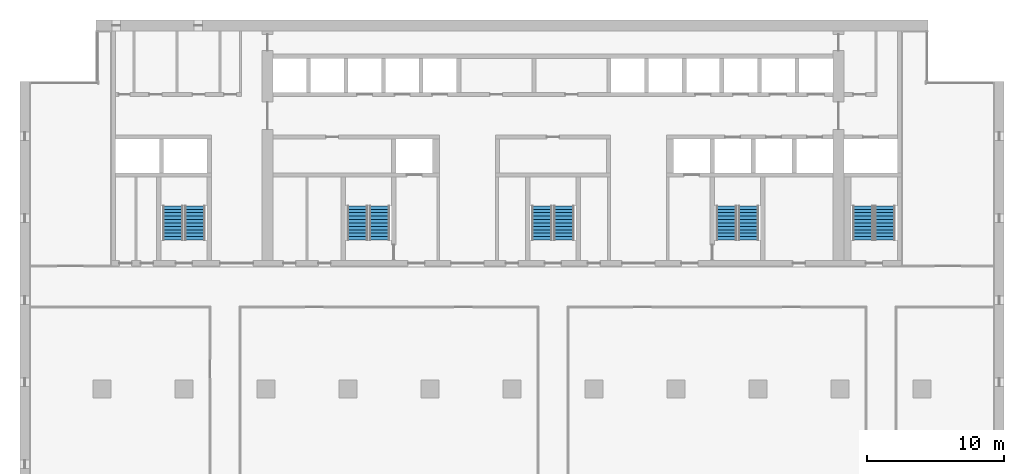
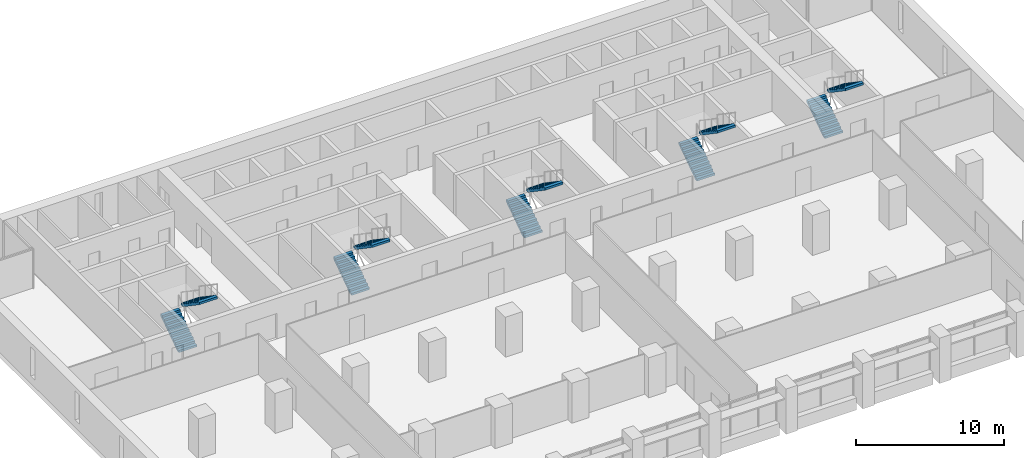
# One storey, part 12 of 15: 10 stair flights, 5 elements without a shape of their own.
"""IFC4 building model written with IfcOpenShell, lengths in metres."""

from ifc_helpers import new_model, si_unit, direction, frame, origin, place, context, subcontext, project, spatial, polyline, outline, extrude, material, type_object, element, aggregate, save


model = new_model("IFC4")

# Units and contexts
model_context = context("Model", 3, precision=1e-05, world=origin(), true_north=direction((0.0, 1.0)))
body_context = subcontext(model_context, "Body", "Model", "MODEL_VIEW")
ifc_project = project(units=[si_unit("LENGTHUNIT", "METRE"), si_unit("AREAUNIT", "SQUARE_METRE"), si_unit("VOLUMEUNIT", "CUBIC_METRE"), si_unit("PLANEANGLEUNIT", "RADIAN"), si_unit("MASSUNIT", "GRAM", prefix="KILO")], contexts=[model_context])

# Site, building, storey
site_placement = place(None, origin())
site = spatial("IfcSite", under=ifc_project, at=site_placement, CompositionType="ELEMENT")
building_placement = place(site_placement, origin())
building = spatial("IfcBuilding", under=site, at=building_placement, Name="Calvaro Tower", CompositionType="ELEMENT")
storey_placement = place(building_placement, frame((0.0, 0.0, 113.75)))
storey = spatial("IfcBuildingStorey", under=building, at=storey_placement, Name="L28", CompositionType="ELEMENT", Elevation=113.75)

# Stair, stair flights
ifc_material_1 = material(Name="Concrete C40/50", Category="concrete")
stair_type = type_object("IfcStairType", Name="Exit stair 1400 2 flights", PredefinedType="HALF_TURN_STAIR", material=ifc_material_1)
stair_1_placement = place(storey_placement, origin())
stair_1 = element("IfcStair", 1, at=stair_1_placement, inside=storey, type_object=stair_type, Name="Exit stair S1", PredefinedType="HALF_TURN_STAIR")
ifc_material_2 = material(Name="Concrete C40/50", Category="concrete")
stair_flight_type = type_object("IfcStairFlightType", Name="Stair flight", PredefinedType="STRAIGHT", material=ifc_material_2)
stair_flight_1_placement = place(storey_placement, frame((11.199951171875, 29.89990234375, 0.0), z_axis=(0.0, 0.0, 1.0), x_axis=(0.0, 1.0, 0.0)))
stair_flight_1 = element("IfcStairFlight", 2, at=stair_flight_1_placement, type_object=stair_flight_type, Name="Exit stair 1, flight 1", NumberOfRisers=11, NumberOfTreads=10, PredefinedType="STRAIGHT", RiserHeight=0.170454545, TreadLength=0.25, context=body_context, shape_type="SweptSolid", body=[
    extrude(outline(polyline([(0.0, 0.0), (0.0, 0.17041015625), (0.25, 0.17041015625), (0.25, 0.3408203125), (0.5, 0.3408203125), (0.5, 0.511474609375), (0.75, 0.511474609375), (0.75, 0.681884765625), (1.0, 0.681884765625), (1.0, 0.852294921875), (1.25, 0.852294921875), (1.25, 1.022705078125), (1.5, 1.022705078125), (1.5, 1.193115234375), (1.75, 1.193115234375), (1.75, 1.363525390625), (2.0, 1.363525390625), (2.0, 1.5341796875), (2.25, 1.5341796875), (2.25, 1.70458984375), (2.5, 1.70458984375), (2.5, 1.875), (2.5, 1.523193359375), (0.26611328125, 0.0), (0.0, 0.0)])), frame((0.0, 0.699951171875, 0.0), z_axis=(0.0, -1.0, 0.0), x_axis=(1.0, 0.0, 0.0)), (0.0, 0.0, 1.0), 1.39990234375),
])
stair_flight_2_placement = place(storey_placement, frame((12.800048828125, 32.39990234375, 1.875), z_axis=(0.0, 0.0, 1.0), x_axis=(0.0, -1.0, 0.0)))
stair_flight_2 = element("IfcStairFlight", 3, at=stair_flight_2_placement, type_object=stair_flight_type, Name="Exit stair 1, flight 2", NumberOfRisers=11, NumberOfTreads=10, PredefinedType="STRAIGHT", RiserHeight=0.170454545, TreadLength=0.25, context=body_context, shape_type="SweptSolid", body=[
    extrude(outline(polyline([(0.0, 0.0), (0.0, 0.17041015625), (0.25, 0.17041015625), (0.25, 0.3408203125), (0.5, 0.3408203125), (0.5, 0.511474609375), (0.75, 0.511474609375), (0.75, 0.681884765625), (1.0, 0.681884765625), (1.0, 0.852294921875), (1.25, 0.852294921875), (1.25, 1.022705078125), (1.5, 1.022705078125), (1.5, 1.193115234375), (1.75, 1.193115234375), (1.75, 1.363525390625), (2.0, 1.363525390625), (2.0, 1.5341796875), (2.25, 1.5341796875), (2.25, 1.70458984375), (2.5, 1.70458984375), (2.5, 1.875), (2.5, 1.523193359375), (0.26611328125, 0.0), (0.0, 0.0)])), frame((0.0, 0.699951171875, 0.0), z_axis=(0.0, -1.0, 0.0), x_axis=(1.0, 0.0, 0.0)), (0.0, 0.0, 1.0), 1.39990234375),
])
aggregate(stair_1, [stair_flight_1, stair_flight_2])

stair_2_placement = place(storey_placement, origin())
stair_2 = element("IfcStair", 4, at=stair_2_placement, inside=storey, type_object=stair_type, Name="Exit stair S2", PredefinedType="HALF_TURN_STAIR")
stair_flight_3_placement = place(storey_placement, frame((24.699951171875, 29.89990234375, 0.0), z_axis=(0.0, 0.0, 1.0), x_axis=(0.0, 1.0, 0.0)))
stair_flight_3 = element("IfcStairFlight", 5, at=stair_flight_3_placement, type_object=stair_flight_type, Name="Exit stair 2, flight 1", NumberOfRisers=11, NumberOfTreads=10, PredefinedType="STRAIGHT", RiserHeight=0.170454545, TreadLength=0.25, context=body_context, shape_type="SweptSolid", body=[
    extrude(outline(polyline([(0.0, 0.0), (0.0, 0.17041015625), (0.25, 0.17041015625), (0.25, 0.3408203125), (0.5, 0.3408203125), (0.5, 0.511474609375), (0.75, 0.511474609375), (0.75, 0.681884765625), (1.0, 0.681884765625), (1.0, 0.852294921875), (1.25, 0.852294921875), (1.25, 1.022705078125), (1.5, 1.022705078125), (1.5, 1.193115234375), (1.75, 1.193115234375), (1.75, 1.363525390625), (2.0, 1.363525390625), (2.0, 1.5341796875), (2.25, 1.5341796875), (2.25, 1.70458984375), (2.5, 1.70458984375), (2.5, 1.875), (2.5, 1.523193359375), (0.26611328125, 0.0), (0.0, 0.0)])), frame((0.0, 0.699951171875, 0.0), z_axis=(0.0, -1.0, 0.0), x_axis=(1.0, 0.0, 0.0)), (0.0, 0.0, 1.0), 1.39990234375),
])
stair_flight_4_placement = place(storey_placement, frame((26.300048828125, 32.39990234375, 1.875), z_axis=(0.0, 0.0, 1.0), x_axis=(0.0, -1.0, 0.0)))
stair_flight_4 = element("IfcStairFlight", 6, at=stair_flight_4_placement, type_object=stair_flight_type, Name="Exit stair 2, flight 2", NumberOfRisers=11, NumberOfTreads=10, PredefinedType="STRAIGHT", RiserHeight=0.170454545, TreadLength=0.25, context=body_context, shape_type="SweptSolid", body=[
    extrude(outline(polyline([(0.0, 0.0), (0.0, 0.17041015625), (0.25, 0.17041015625), (0.25, 0.3408203125), (0.5, 0.3408203125), (0.5, 0.511474609375), (0.75, 0.511474609375), (0.75, 0.681884765625), (1.0, 0.681884765625), (1.0, 0.852294921875), (1.25, 0.852294921875), (1.25, 1.022705078125), (1.5, 1.022705078125), (1.5, 1.193115234375), (1.75, 1.193115234375), (1.75, 1.363525390625), (2.0, 1.363525390625), (2.0, 1.5341796875), (2.25, 1.5341796875), (2.25, 1.70458984375), (2.5, 1.70458984375), (2.5, 1.875), (2.5, 1.523193359375), (0.26611328125, 0.0), (0.0, 0.0)])), frame((0.0, 0.699951171875, 0.0), z_axis=(0.0, -1.0, 0.0), x_axis=(1.0, 0.0, 0.0)), (0.0, 0.0, 1.0), 1.39990234375),
])
aggregate(stair_2, [stair_flight_3, stair_flight_4])

stair_3_placement = place(storey_placement, origin())
stair_3 = element("IfcStair", 7, at=stair_3_placement, inside=storey, type_object=stair_type, Name="Exit stair S3", PredefinedType="HALF_TURN_STAIR")
stair_flight_5_placement = place(storey_placement, frame((38.199951171875, 29.89990234375, 0.0), z_axis=(0.0, 0.0, 1.0), x_axis=(0.0, 1.0, 0.0)))
stair_flight_5 = element("IfcStairFlight", 8, at=stair_flight_5_placement, type_object=stair_flight_type, Name="Exit stair 3, flight 1", NumberOfRisers=11, NumberOfTreads=10, PredefinedType="STRAIGHT", RiserHeight=0.170454545, TreadLength=0.25, context=body_context, shape_type="SweptSolid", body=[
    extrude(outline(polyline([(0.0, 0.0), (0.0, 0.17041015625), (0.25, 0.17041015625), (0.25, 0.3408203125), (0.5, 0.3408203125), (0.5, 0.511474609375), (0.75, 0.511474609375), (0.75, 0.681884765625), (1.0, 0.681884765625), (1.0, 0.852294921875), (1.25, 0.852294921875), (1.25, 1.022705078125), (1.5, 1.022705078125), (1.5, 1.193115234375), (1.75, 1.193115234375), (1.75, 1.363525390625), (2.0, 1.363525390625), (2.0, 1.5341796875), (2.25, 1.5341796875), (2.25, 1.70458984375), (2.5, 1.70458984375), (2.5, 1.875), (2.5, 1.523193359375), (0.26611328125, 0.0), (0.0, 0.0)])), frame((0.0, 0.699951171875, 0.0), z_axis=(0.0, -1.0, 0.0), x_axis=(1.0, 0.0, 0.0)), (0.0, 0.0, 1.0), 1.39990234375),
])
stair_flight_6_placement = place(storey_placement, frame((39.800048828125, 32.39990234375, 1.875), z_axis=(0.0, 0.0, 1.0), x_axis=(0.0, -1.0, 0.0)))
stair_flight_6 = element("IfcStairFlight", 9, at=stair_flight_6_placement, type_object=stair_flight_type, Name="Exit stair 3, flight 2", NumberOfRisers=11, NumberOfTreads=10, PredefinedType="STRAIGHT", RiserHeight=0.170454545, TreadLength=0.25, context=body_context, shape_type="SweptSolid", body=[
    extrude(outline(polyline([(0.0, 0.0), (0.0, 0.17041015625), (0.25, 0.17041015625), (0.25, 0.3408203125), (0.5, 0.3408203125), (0.5, 0.511474609375), (0.75, 0.511474609375), (0.75, 0.681884765625), (1.0, 0.681884765625), (1.0, 0.852294921875), (1.25, 0.852294921875), (1.25, 1.022705078125), (1.5, 1.022705078125), (1.5, 1.193115234375), (1.75, 1.193115234375), (1.75, 1.363525390625), (2.0, 1.363525390625), (2.0, 1.5341796875), (2.25, 1.5341796875), (2.25, 1.70458984375), (2.5, 1.70458984375), (2.5, 1.875), (2.5, 1.523193359375), (0.26611328125, 0.0), (0.0, 0.0)])), frame((0.0, 0.699951171875, 0.0), z_axis=(0.0, -1.0, 0.0), x_axis=(1.0, 0.0, 0.0)), (0.0, 0.0, 1.0), 1.39990234375),
])
aggregate(stair_3, [stair_flight_5, stair_flight_6])

stair_4_placement = place(storey_placement, origin())
stair_4 = element("IfcStair", 10, at=stair_4_placement, inside=storey, type_object=stair_type, Name="Exit stair S4", PredefinedType="HALF_TURN_STAIR")
stair_flight_7_placement = place(storey_placement, frame((51.699951171875, 29.89990234375, 0.0), z_axis=(0.0, 0.0, 1.0), x_axis=(0.0, 1.0, 0.0)))
stair_flight_7 = element("IfcStairFlight", 11, at=stair_flight_7_placement, type_object=stair_flight_type, Name="Exit stair 4, flight 1", NumberOfRisers=11, NumberOfTreads=10, PredefinedType="STRAIGHT", RiserHeight=0.170454545, TreadLength=0.25, context=body_context, shape_type="SweptSolid", body=[
    extrude(outline(polyline([(0.0, 0.0), (0.0, 0.17041015625), (0.25, 0.17041015625), (0.25, 0.3408203125), (0.5, 0.3408203125), (0.5, 0.511474609375), (0.75, 0.511474609375), (0.75, 0.681884765625), (1.0, 0.681884765625), (1.0, 0.852294921875), (1.25, 0.852294921875), (1.25, 1.022705078125), (1.5, 1.022705078125), (1.5, 1.193115234375), (1.75, 1.193115234375), (1.75, 1.363525390625), (2.0, 1.363525390625), (2.0, 1.5341796875), (2.25, 1.5341796875), (2.25, 1.70458984375), (2.5, 1.70458984375), (2.5, 1.875), (2.5, 1.523193359375), (0.26611328125, 0.0), (0.0, 0.0)])), frame((0.0, 0.699951171875, 0.0), z_axis=(0.0, -1.0, 0.0), x_axis=(1.0, 0.0, 0.0)), (0.0, 0.0, 1.0), 1.39990234375),
])
stair_flight_8_placement = place(storey_placement, frame((53.300048828125, 32.39990234375, 1.875), z_axis=(0.0, 0.0, 1.0), x_axis=(0.0, -1.0, 0.0)))
stair_flight_8 = element("IfcStairFlight", 12, at=stair_flight_8_placement, type_object=stair_flight_type, Name="Exit stair 4, flight 2", NumberOfRisers=11, NumberOfTreads=10, PredefinedType="STRAIGHT", RiserHeight=0.170454545, TreadLength=0.25, context=body_context, shape_type="SweptSolid", body=[
    extrude(outline(polyline([(0.0, 0.0), (0.0, 0.17041015625), (0.25, 0.17041015625), (0.25, 0.3408203125), (0.5, 0.3408203125), (0.5, 0.511474609375), (0.75, 0.511474609375), (0.75, 0.681884765625), (1.0, 0.681884765625), (1.0, 0.852294921875), (1.25, 0.852294921875), (1.25, 1.022705078125), (1.5, 1.022705078125), (1.5, 1.193115234375), (1.75, 1.193115234375), (1.75, 1.363525390625), (2.0, 1.363525390625), (2.0, 1.5341796875), (2.25, 1.5341796875), (2.25, 1.70458984375), (2.5, 1.70458984375), (2.5, 1.875), (2.5, 1.523193359375), (0.26611328125, 0.0), (0.0, 0.0)])), frame((0.0, 0.699951171875, 0.0), z_axis=(0.0, -1.0, 0.0), x_axis=(1.0, 0.0, 0.0)), (0.0, 0.0, 1.0), 1.39990234375),
])
aggregate(stair_4, [stair_flight_7, stair_flight_8])

stair_5_placement = place(storey_placement, origin())
stair_5 = element("IfcStair", 13, at=stair_5_placement, inside=storey, type_object=stair_type, Name="Exit stair S5", PredefinedType="HALF_TURN_STAIR")
stair_flight_9_placement = place(storey_placement, frame((61.699951171875, 29.89990234375, 0.0), z_axis=(0.0, 0.0, 1.0), x_axis=(0.0, 1.0, 0.0)))
stair_flight_9 = element("IfcStairFlight", 14, at=stair_flight_9_placement, type_object=stair_flight_type, Name="Exit stair 5, flight 1", NumberOfRisers=11, NumberOfTreads=10, PredefinedType="STRAIGHT", RiserHeight=0.170454545, TreadLength=0.25, context=body_context, shape_type="SweptSolid", body=[
    extrude(outline(polyline([(0.0, 0.0), (0.0, 0.17041015625), (0.25, 0.17041015625), (0.25, 0.3408203125), (0.5, 0.3408203125), (0.5, 0.511474609375), (0.75, 0.511474609375), (0.75, 0.681884765625), (1.0, 0.681884765625), (1.0, 0.852294921875), (1.25, 0.852294921875), (1.25, 1.022705078125), (1.5, 1.022705078125), (1.5, 1.193115234375), (1.75, 1.193115234375), (1.75, 1.363525390625), (2.0, 1.363525390625), (2.0, 1.5341796875), (2.25, 1.5341796875), (2.25, 1.70458984375), (2.5, 1.70458984375), (2.5, 1.875), (2.5, 1.523193359375), (0.26611328125, 0.0), (0.0, 0.0)])), frame((0.0, 0.699951171875, 0.0), z_axis=(0.0, -1.0, 0.0), x_axis=(1.0, 0.0, 0.0)), (0.0, 0.0, 1.0), 1.39990234375),
])
stair_flight_10_placement = place(storey_placement, frame((63.300048828125, 32.39990234375, 1.875), z_axis=(0.0, 0.0, 1.0), x_axis=(0.0, -1.0, 0.0)))
stair_flight_10 = element("IfcStairFlight", 15, at=stair_flight_10_placement, type_object=stair_flight_type, Name="Exit stair 5, flight 2", NumberOfRisers=11, NumberOfTreads=10, PredefinedType="STRAIGHT", RiserHeight=0.170454545, TreadLength=0.25, context=body_context, shape_type="SweptSolid", body=[
    extrude(outline(polyline([(0.0, 0.0), (0.0, 0.17041015625), (0.25, 0.17041015625), (0.25, 0.3408203125), (0.5, 0.3408203125), (0.5, 0.511474609375), (0.75, 0.511474609375), (0.75, 0.681884765625), (1.0, 0.681884765625), (1.0, 0.852294921875), (1.25, 0.852294921875), (1.25, 1.022705078125), (1.5, 1.022705078125), (1.5, 1.193115234375), (1.75, 1.193115234375), (1.75, 1.363525390625), (2.0, 1.363525390625), (2.0, 1.5341796875), (2.25, 1.5341796875), (2.25, 1.70458984375), (2.5, 1.70458984375), (2.5, 1.875), (2.5, 1.523193359375), (0.26611328125, 0.0), (0.0, 0.0)])), frame((0.0, 0.699951171875, 0.0), z_axis=(0.0, -1.0, 0.0), x_axis=(1.0, 0.0, 0.0)), (0.0, 0.0, 1.0), 1.39990234375),
])
aggregate(stair_5, [stair_flight_9, stair_flight_10])

save(model, "model.ifc")
